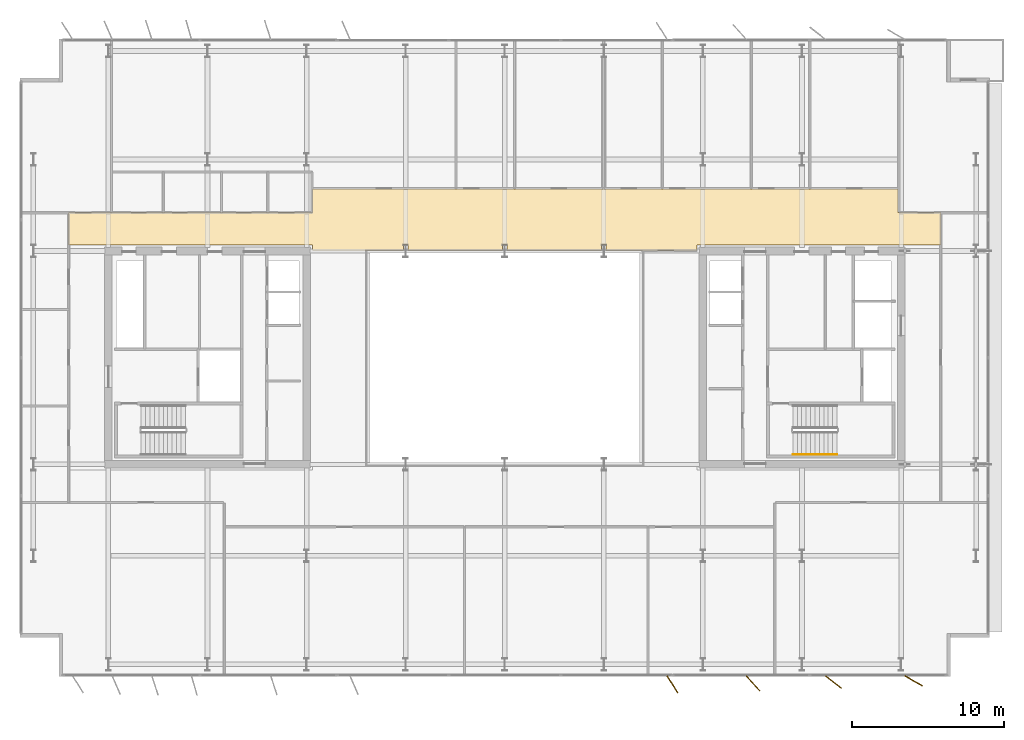
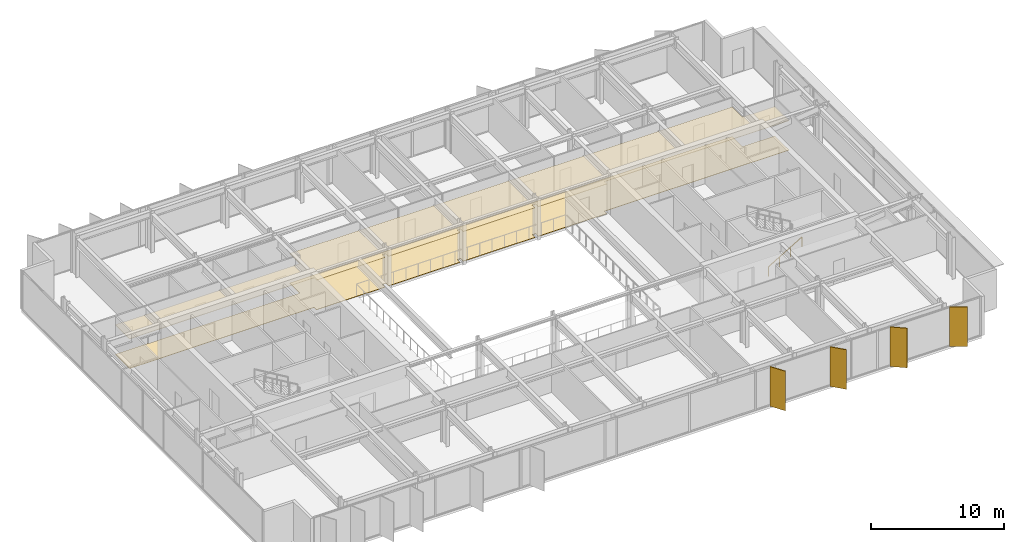
# One storey, part 17 of 19: 4 shading devices, 2 coverings, 1 railing.
"""IFC4 building model written with IfcOpenShell, lengths in metres."""

from ifc_helpers import new_model, si_unit, direction, frame, origin, origin_2d, place, context, subcontext, project, spatial, polyline, rectangle, circle, outline, extrude, material, layer, layer_set, type_object, element, save


model = new_model("IFC4")

# Units and contexts
model_context = context("Model", 3, precision=1e-05, world=origin(), true_north=direction((0.0, 1.0)))
body_context = subcontext(model_context, "Body", "Model", "MODEL_VIEW")
ifc_project = project(units=[si_unit("LENGTHUNIT", "METRE"), si_unit("AREAUNIT", "SQUARE_METRE"), si_unit("VOLUMEUNIT", "CUBIC_METRE"), si_unit("PLANEANGLEUNIT", "RADIAN"), si_unit("MASSUNIT", "GRAM", prefix="KILO")], contexts=[model_context])

# Site, building, storey
site_placement = place(None, origin())
site = spatial("IfcSite", under=ifc_project, at=site_placement, CompositionType="ELEMENT")
building_placement = place(site_placement, origin())
building = spatial("IfcBuilding", under=site, at=building_placement, Name="Putna Gate Headquarters", CompositionType="ELEMENT")
storey_placement = place(building_placement, frame((0.0, 0.0, 255.60009765625)))
storey = spatial("IfcBuildingStorey", under=building, at=storey_placement, Name="L64", CompositionType="ELEMENT", Elevation=255.60009765625)

# Coverings
ifc_material_1 = material(Name="Perforated mineral-fibre acoustic ceiling tile")
ifc_layer_1 = layer(ifc_material_1, 0.0400390625)
ifc_layer_set_1 = layer_set([ifc_layer_1], Name="Perforated mineral-fibre acoustic ceiling tile")
covering_type_1 = type_object("IfcCoveringType", Name="COV-ACOUSTIC-CEILING", PredefinedType="CEILING", material=ifc_layer_set_1)
covering_1_placement = place(storey_placement, frame((0.0, 0.0, 2.7099609375)))
element("IfcCovering", 1, at=covering_1_placement, inside=storey, type_object=covering_type_1, Name="L64 Acoustic Ceiling Covering 1", PredefinedType="CEILING", context=body_context, shape_type="SweptSolid", body=[
    extrude(outline(polyline([(45.360107421875, 33.35888671875), (45.340576171875, 33.35888671875), (45.340576171875, 33.4150390625), (45.659423828125, 33.4150390625), (45.659423828125, 33.35888671875), (45.639892578125, 33.35888671875), (45.639892578125, 33.02001953125), (51.60009765625, 33.02001953125), (51.60009765625, 33.3798828125), (67.6201171875, 33.3798828125), (67.6201171875, 35.52001953125), (64.812255859375, 35.52001953125), (64.812255859375, 37.06005859375), (26.39990234375, 37.06005859375), (26.39990234375, 35.52001953125), (10.3798828125, 35.52001953125), (10.3798828125, 33.3798828125), (26.39990234375, 33.3798828125), (26.39990234375, 33.02001953125), (32.360107421875, 33.02001953125), (32.360107421875, 33.35888671875), (32.340576171875, 33.35888671875), (32.340576171875, 33.4150390625), (32.659423828125, 33.4150390625), (32.659423828125, 33.35888671875), (32.639892578125, 33.35888671875), (32.639892578125, 33.02001953125), (38.860107421875, 33.02001953125), (38.860107421875, 33.35888671875), (38.840576171875, 33.35888671875), (38.840576171875, 33.4150390625), (39.159423828125, 33.4150390625), (39.159423828125, 33.35888671875), (39.139892578125, 33.35888671875), (39.139892578125, 33.02001953125), (45.360107421875, 33.02001953125), (45.360107421875, 33.35888671875)])), origin(), (0.0, 0.0, 1.0), 0.0400390625),
])
ifc_material_2 = material(Name="Calcium-sulphate raised access floor finish")
ifc_layer_2 = layer(ifc_material_2, 0.030029296875)
ifc_layer_set_2 = layer_set([ifc_layer_2], Name="Calcium-sulphate raised access floor finish")
covering_type_2 = type_object("IfcCoveringType", Name="COV-RAISED-FLOORING", PredefinedType="FLOORING", material=ifc_layer_set_2)
covering_2_placement = place(storey_placement, origin())
element("IfcCovering", 2, at=covering_2_placement, inside=storey, type_object=covering_type_2, Name="L64 Raised Access Floor Covering 1", PredefinedType="FLOORING", context=body_context, shape_type="SweptSolid", body=[
    extrude(outline(polyline([(45.360107421875, 33.35888671875), (45.340576171875, 33.35888671875), (45.340576171875, 33.4150390625), (45.659423828125, 33.4150390625), (45.659423828125, 33.35888671875), (45.639892578125, 33.35888671875), (45.639892578125, 33.02001953125), (51.60009765625, 33.02001953125), (51.60009765625, 33.3798828125), (67.6201171875, 33.3798828125), (67.6201171875, 35.52001953125), (64.812255859375, 35.52001953125), (64.812255859375, 37.06005859375), (26.39990234375, 37.06005859375), (26.39990234375, 35.52001953125), (10.3798828125, 35.52001953125), (10.3798828125, 33.3798828125), (26.39990234375, 33.3798828125), (26.39990234375, 33.02001953125), (32.360107421875, 33.02001953125), (32.360107421875, 33.35888671875), (32.340576171875, 33.35888671875), (32.340576171875, 33.4150390625), (32.659423828125, 33.4150390625), (32.659423828125, 33.35888671875), (32.639892578125, 33.35888671875), (32.639892578125, 33.02001953125), (38.860107421875, 33.02001953125), (38.860107421875, 33.35888671875), (38.840576171875, 33.35888671875), (38.840576171875, 33.4150390625), (39.159423828125, 33.4150390625), (39.159423828125, 33.35888671875), (39.139892578125, 33.35888671875), (39.139892578125, 33.02001953125), (45.360107421875, 33.02001953125), (45.360107421875, 33.35888671875)])), origin(), (0.0, 0.0, 1.0), 0.02978515625),
])

# Railing
ifc_material_3 = material(Name="Brushed stainless steel handrail", Category="steel")
railing_type = type_object("IfcRailingType", Name="RAIL-STAIR-HAND-900", PredefinedType="HANDRAIL", material=ifc_material_3)
railing_placement = place(storey_placement, frame((57.89990234375, 19.64990234375, 0.172607421875)))
element("IfcRailing", 3, at=railing_placement, inside=storey, type_object=railing_type, Name="L64 ST2 stair handrail 1", PredefinedType="HANDRAIL", context=body_context, shape_type="SweptSolid", body=[
    extrude(circle(Radius=0.02392578125, at=origin_2d()), frame((0.0, 0.0, 0.8759765625), z_axis=(0.859160404282, 0.0, 0.51170636083), x_axis=(0.0, 1.0, 0.0)), (0.0, 0.0, 1.0), 3.37548828125),
    extrude(circle(Radius=0.02099609375, at=origin_2d()), origin(), (0.0, 0.0, 1.0), 0.851806640625),
    extrude(circle(Radius=0.02099609375, at=origin_2d()), frame((0.966796875, 0.0, 0.57568359375)), (0.0, 0.0, 1.0), 0.851806640625),
    extrude(circle(Radius=0.02099609375, at=origin_2d()), frame((1.933349609375, 0.0, 1.151611328125)), (0.0, 0.0, 1.0), 0.851806640625),
    extrude(circle(Radius=0.02099609375, at=origin_2d()), frame((2.900146484375, 0.0, 1.727294921875)), (0.0, 0.0, 1.0), 0.851806640625),
])

# Shading devices
ifc_material_4 = material(Name="Anodised architectural bronze aluminium fin", Category="aluminium")
ifc_layer_3 = layer(ifc_material_4, 0.06494140625)
ifc_layer_set_3 = layer_set([ifc_layer_3], Name="Anodised architectural bronze aluminium fin")
shading_device_type = type_object("IfcShadingDeviceType", Name="SHADE-BRONZE-FIN-1320", PredefinedType="USERDEFINED", material=ifc_layer_set_3)
for number, where, z_axis, x_axis, name in (
    (4, (50.000244140625, 4.565673828125, -0.02001953125), (0.0, 0.0, 1.0), (0.530659123936, -0.847585331506, 0.0), "L64 Bronze Vertical Shading Fin S7"),
    (5, (55.29150390625, 4.634521484375, -0.02001953125), (0.0, 0.0, 1.0), (0.669130606359, -0.743144825477, 0.0), "L64 Bronze Vertical Shading Fin S8"),
    (6, (60.569580078125, 4.71826171875, -0.02001953125), (0.0, 0.0, 1.0), (0.787473187632, -0.616348909921, 0.0), "L64 Bronze Vertical Shading Fin S9"),
    (7, (65.82373046875, 4.798828125, -0.02001953125), (0.0, 0.0, 1.0), (0.869322458298, -0.494245347472, 0.0), "L64 Bronze Vertical Shading Fin S10"),
):
    element("IfcShadingDevice", number, at=place(storey_placement, frame(where, z_axis=z_axis, x_axis=x_axis)), inside=storey, type_object=shading_device_type, Name=name, ObjectType="FIN", PredefinedType="USERDEFINED", context=body_context, shape_type="SweptSolid", body=[
        extrude(rectangle(XDim=1.320068359375, YDim=0.06494140625, at=origin_2d()), origin(), (0.0, 0.0, 1.0), 3.6279296875),
    ])

save(model, "model.ifc")
